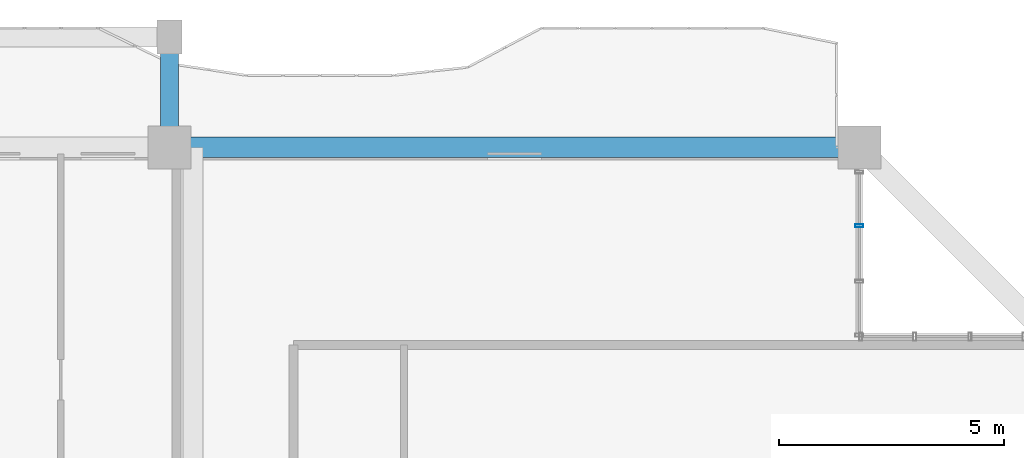
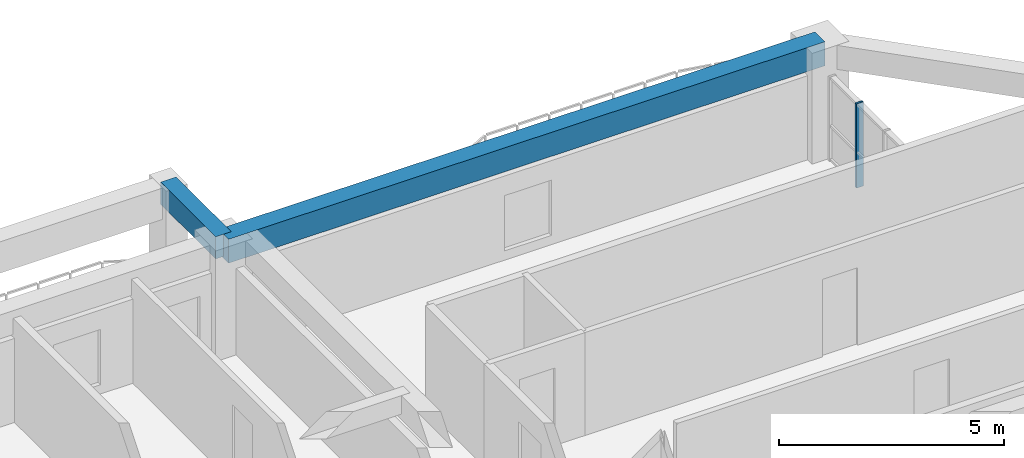
# One storey, part 11 of 25: 2 beams, 1 member, 1 element without a shape of its own.
"""IFC4 building model written with IfcOpenShell, lengths in metres."""

import ifcopenshell
import ifcopenshell.guid

model = None  # the IFC model being written
_history = None  # IfcOwnerHistory: only IFC2X3 demands one
_inside = {}  # id of a spatial element -> (the spatial element, [elements in it])
_under = {}  # id of a project, library or spatial element -> (it, [spatial elements below it])
_declared = {}  # id of a project -> (the project, [libraries it declares])
_typed = {}  # id of a type object -> (the type object, [elements of that type])
_made_of = {}  # id of a material, layer set ... -> (it, [elements and type objects made of it])


def new_model(schema):
    """Start an empty IFC model of exactly this schema.

    Asked for "IFC4X3", IfcOpenShell would pick the latest addendum, in which some entities
    have other attributes; the version numbers below select the first issue.
    IFC2X3 requires an IfcOwnerHistory on every rooted entity: one is made here for all.
    """
    global model, _history
    if schema == "IFC4X3":
        model = ifcopenshell.file(schema_version=(4, 3, 0, 0))
    else:
        model = ifcopenshell.file(schema=schema)
    _inside.clear()
    _under.clear()
    _declared.clear()
    _typed.clear()
    _made_of.clear()
    _history = None
    if model.schema == "IFC2X3":
        org = make("IfcOrganization", Name="unknown")
        user = make(
            "IfcPersonAndOrganization",
            ThePerson=make("IfcPerson", FamilyName="unknown"),
            TheOrganization=org,
        )
        app = make(
            "IfcApplication",
            ApplicationDeveloper=org,
            Version="unknown",
            ApplicationFullName="unknown",
            ApplicationIdentifier="unknown",
        )
        _history = make(
            "IfcOwnerHistory",
            OwningUser=user,
            OwningApplication=app,
            ChangeAction="ADDED",
            CreationDate=0,
        )
    return model


def make(cls, **values):
    """One entity of the class cls with the attributes given. An attribute that is None is left unset."""
    return model.create_entity(
        cls, **{name: value for name, value in values.items() if value is not None}
    )


def rooted(cls, **values):
    """An entity with a GlobalId (a new one), such as an element, a storey or a relation."""
    return make(cls, GlobalId=ifcopenshell.guid.new(), OwnerHistory=_history, **values)


def si_unit(unit_type, name, prefix=None):
    """IfcSIUnit, for example si_unit("LENGTHUNIT", "METRE", prefix="MILLI")."""
    return make("IfcSIUnit", UnitType=unit_type, Prefix=prefix, Name=name)


def assignment(units):
    """IfcUnitAssignment: the units of a project."""
    return None if units is None else make("IfcUnitAssignment", Units=units)


def point(xyz):
    """IfcCartesianPoint."""
    return None if xyz is None else make("IfcCartesianPoint", Coordinates=xyz)


def direction(xyz):
    """IfcDirection."""
    return None if xyz is None else make("IfcDirection", DirectionRatios=xyz)


def frame(location, z_axis=None, x_axis=None):
    """IfcAxis2Placement3D, a coordinate frame: its origin and axes. An axis left out is left unset."""
    return make(
        "IfcAxis2Placement3D",
        Location=point(location),
        Axis=direction(z_axis),
        RefDirection=direction(x_axis),
    )


def frame_2d(location, x_axis=None):
    """IfcAxis2Placement2D, a coordinate frame in the plane: its origin and x axis."""
    return make(
        "IfcAxis2Placement2D", Location=point(location), RefDirection=direction(x_axis)
    )


def origin():
    """The frame at (0, 0, 0) with its axes left unset."""
    return frame((0.0, 0.0, 0.0))


def origin_2d():
    """The frame at (0, 0) in the plane with its x axis left unset."""
    return frame_2d((0.0, 0.0))


def place(relative_to, where):
    """IfcLocalPlacement: puts the frame where relative to a parent placement (None: the world)."""
    return make(
        "IfcLocalPlacement", PlacementRelTo=relative_to, RelativePlacement=where
    )


def context(
    kind, dimensions, precision=None, world=None, true_north=None, identifier=None
):
    """IfcGeometricRepresentationContext, for example the 3D "Model" context."""
    return make(
        "IfcGeometricRepresentationContext",
        ContextIdentifier=identifier,
        ContextType=kind,
        CoordinateSpaceDimension=dimensions,
        Precision=precision,
        WorldCoordinateSystem=world,
        TrueNorth=true_north,
    )


def subcontext(parent, identifier, kind, view, scale=None):
    """IfcGeometricRepresentationSubContext, for example "Body" below "Model"."""
    return make(
        "IfcGeometricRepresentationSubContext",
        ContextIdentifier=identifier,
        ContextType=kind,
        ParentContext=parent,
        TargetScale=scale,
        TargetView=view,
    )


def project(units=None, contexts=None):
    """IfcProject with its units and contexts."""
    return rooted(
        "IfcProject",
        Name="project",
        RepresentationContexts=contexts,
        UnitsInContext=assignment(units),
    )


def spatial(cls, under=None, at=None, **own):
    """A site, building, storey or space (cls), placed at a placement, below another one or the project."""
    s = rooted(cls, ObjectPlacement=at, **own)
    if under is not None:
        _under.setdefault(under.id(), (under, []))[1].append(s)
    return s


def profile(cls, at=None, kind="AREA", **sizes):
    """A parametric profile (cls). Its sizes go by their IFC names, for example OverallWidth=200.0."""
    return make(cls, ProfileType=kind, Position=at, **sizes)


def rectangle(**sizes):
    """IfcRectangleProfileDef."""
    return profile("IfcRectangleProfileDef", **sizes)


def hollow_rectangle(**sizes):
    """IfcRectangleHollowProfileDef."""
    return profile("IfcRectangleHollowProfileDef", **sizes)


def extrude(swept, where, along, depth):
    """IfcExtrudedAreaSolid: the profile swept, set in the frame where, extruded along a direction by depth."""
    return make(
        "IfcExtrudedAreaSolid",
        SweptArea=swept,
        Position=where,
        ExtrudedDirection=direction(along),
        Depth=depth,
    )


def shape(context_of_items, identifier, shape_type, items):
    """IfcShapeRepresentation: the items that make up one representation, for example the "Body"."""
    return make(
        "IfcShapeRepresentation",
        ContextOfItems=context_of_items,
        RepresentationIdentifier=identifier,
        RepresentationType=shape_type,
        Items=items,
    )


def source(mapping_origin, context_of_items, identifier, shape_type, items):
    """IfcRepresentationMap: a shape defined once, which mapped items show again and again."""
    return make(
        "IfcRepresentationMap",
        MappingOrigin=mapping_origin,
        MappedRepresentation=shape(context_of_items, identifier, shape_type, items),
    )


def transform(
    local_origin,
    x_axis=None,
    y_axis=None,
    z_axis=None,
    scale=None,
    scale2=None,
    scale3=None,
    uniform=True,
):
    """IfcCartesianTransformationOperator3D, or its non-uniform kind. x_axis, y_axis, z_axis: its Axis1, 2, 3."""
    if uniform:
        return make(
            "IfcCartesianTransformationOperator3D",
            Axis1=direction(x_axis),
            Axis2=direction(y_axis),
            LocalOrigin=point(local_origin),
            Scale=scale,
            Axis3=direction(z_axis),
        )
    return make(
        "IfcCartesianTransformationOperator3DnonUniform",
        Axis1=direction(x_axis),
        Axis2=direction(y_axis),
        LocalOrigin=point(local_origin),
        Scale=scale,
        Axis3=direction(z_axis),
        Scale2=scale2,
        Scale3=scale3,
    )


def mapped(mapping_source, mapping_target):
    """IfcMappedItem: shows the shape of a source again, moved by a transform."""
    return make(
        "IfcMappedItem", MappingSource=mapping_source, MappingTarget=mapping_target
    )


def material(Name=None, Category=None):
    """IfcMaterial."""
    return make("IfcMaterial", Name=Name, Category=Category)


def layer(
    of_material, thickness, ventilated=None, Name=None, Category=None, Priority=None
):
    """IfcMaterialLayer: one layer of a wall or slab, of a material (None: an air gap)."""
    return make(
        "IfcMaterialLayer",
        Material=of_material,
        LayerThickness=thickness,
        IsVentilated=ventilated,
        Name=Name,
        Category=Category,
        Priority=Priority,
    )


def layer_set(layers, Name=None):
    """IfcMaterialLayerSet."""
    return make("IfcMaterialLayerSet", MaterialLayers=layers, LayerSetName=Name)


def material_profile(
    of_material, cross_section, Name=None, Category=None, Priority=None
):
    """IfcMaterialProfile: a cross section and its material."""
    return make(
        "IfcMaterialProfile",
        Name=Name,
        Material=of_material,
        Profile=cross_section,
        Priority=Priority,
        Category=Category,
    )


def profile_set(profiles, Name=None, composite=None):
    """IfcMaterialProfileSet."""
    return make(
        "IfcMaterialProfileSet",
        Name=Name,
        MaterialProfiles=profiles,
        CompositeProfile=composite,
    )


def made_of(thing, what):
    """Note that an element or type object is made of a material, layer set ...; save() writes the relation."""
    if what is not None:
        _made_of.setdefault(what.id(), (what, []))[1].append(thing)
    return thing


def type_object(cls, material=None, **own):
    """A type object (cls), such as IfcWallType, which elements share."""
    return made_of(rooted(cls, **own), material)


def element(
    cls,
    number,
    at=None,
    inside=None,
    cuts=None,
    type_object=None,
    material=None,
    context=None,
    identifier="Body",
    shape_type=None,
    held_by="IfcProductDefinitionShape",
    body=None,
    shapes=None,
    **own,
):
    """One element of the class cls, such as IfcWall. Its Tag is "e" and its number.

    at: its placement. inside: the storey or other place that contains it. cuts: it is an
    opening in that element (IfcRelVoidsElement). A single representation is given by context,
    identifier, shape_type and body (its items); several are given by shapes. held_by: the class
    of the entity that holds the representations. save() writes the other relations.
    """
    e = rooted(cls, Tag="e%d" % number, ObjectPlacement=at, **own)
    if body is not None:
        shapes = [shape(context, identifier, shape_type, body)]
    if shapes is not None:
        e.Representation = make(held_by, Representations=shapes)
    if inside is not None:
        _inside.setdefault(inside.id(), (inside, []))[1].append(e)
    if cuts is not None:
        rooted(
            "IfcRelVoidsElement", RelatingBuildingElement=cuts, RelatedOpeningElement=e
        )
    if type_object is not None:
        _typed.setdefault(type_object.id(), (type_object, []))[1].append(e)
    return made_of(e, material)


def aggregate(whole, parts):
    """IfcRelAggregates: a whole, such as a stair, and the parts it consists of."""
    return rooted("IfcRelAggregates", RelatingObject=whole, RelatedObjects=parts)


def save(model, path):
    """Write the relations noted so far, then the file.

    IfcRelAggregates (storeys below a building ...), IfcRelContainedInSpatialStructure (elements
    in a storey), IfcRelDefinesByType, IfcRelAssociatesMaterial and IfcRelDeclares: one each for
    every whole, place, type object, material and project.
    """
    for whole, parts in _under.values():
        aggregate(whole, parts)
    for where, things in _inside.values():
        rooted(
            "IfcRelContainedInSpatialStructure",
            RelatedElements=things,
            RelatingStructure=where,
        )
    for kind, things in _typed.values():
        rooted("IfcRelDefinesByType", RelatedObjects=things, RelatingType=kind)
    for what, things in _made_of.values():
        rooted("IfcRelAssociatesMaterial", RelatedObjects=things, RelatingMaterial=what)
    for by, libraries in _declared.values():
        rooted("IfcRelDeclares", RelatingContext=by, RelatedDefinitions=libraries)
    model.write(path)


model = new_model("IFC4")

# Units and contexts
model_context = context("Model", 3, precision=1e-05, world=origin(), true_north=direction((0.0, 1.0)))
body_context = subcontext(model_context, "Body", "Model", "MODEL_VIEW")
ifc_project = project(units=[si_unit("LENGTHUNIT", "METRE"), si_unit("AREAUNIT", "SQUARE_METRE"), si_unit("VOLUMEUNIT", "CUBIC_METRE"), si_unit("PLANEANGLEUNIT", "RADIAN"), si_unit("MASSUNIT", "GRAM", prefix="KILO")], contexts=[model_context])

# Site, building, storey
site_placement = place(None, origin())
site = spatial("IfcSite", under=ifc_project, at=site_placement, CompositionType="ELEMENT")
building_placement = place(site_placement, origin())
building = spatial("IfcBuilding", under=site, at=building_placement, Name="Saelheon Loggia Tower", CompositionType="ELEMENT")
storey_placement = place(building_placement, frame((0.0, 0.0, 107.85009765625)))
storey = spatial("IfcBuildingStorey", under=building, at=storey_placement, Name="L34", CompositionType="ELEMENT", Elevation=107.85009765625)

# Beams
ifc_material_1 = material(Name="Precast Concrete C45/55", Category="concrete")
ifc_material_profile_1 = material_profile(ifc_material_1, rectangle(XDim=0.39990234375, YDim=0.60009765625, at=origin_2d()), Name="RC-400x600")
ifc_profile_set_1 = profile_set([ifc_material_profile_1], Name="Precast Concrete C45/55")
beam_type_1 = type_object("IfcBeamType", Name="Beam_LoggiaTie_RC400x600", PredefinedType="BEAM", material=ifc_profile_set_1)
shared_shape_1 = source(origin(), body_context, "Body", "SweptSolid", [
    extrude(rectangle(XDim=0.39990234375, YDim=0.60009765625, at=origin_2d()), origin(), (0.0, 0.0, 1.0), 2.449951171875),
])
beam_1_placement = place(storey_placement, frame((44.5, 51.0, 2.699951171875), z_axis=(0.0, 1.0, 0.0), x_axis=(-1.0, 0.0, 0.0)))
element("IfcBeam", 1, at=beam_1_placement, inside=storey, type_object=beam_type_1, Name="L34 Loggia Frame Tie Beam LP-N2", PredefinedType="BEAM", context=body_context, shape_type="MappedRepresentation", body=[
    mapped(shared_shape_1, transform((0.0, 0.0, 0.0), scale=1.0)),
])
ifc_material_2 = material(Name="Concrete C40/50", Category="concrete")
ifc_material_profile_2 = material_profile(ifc_material_2, rectangle(XDim=0.449951171875, YDim=0.64990234375, at=origin_2d()), Name="RC-450x650")
ifc_profile_set_2 = profile_set([ifc_material_profile_2], Name="Concrete C40/50")
beam_type_2 = type_object("IfcBeamType", Name="Beam_PerimTower_RC450x650", PredefinedType="BEAM", material=ifc_profile_set_2)
shared_shape_2 = source(origin(), body_context, "Body", "SweptSolid", [
    extrude(rectangle(XDim=0.449951171875, YDim=0.64990234375, at=origin_2d()), origin(), (0.0, 0.0, 1.0), 15.300048828125),
])
beam_2_placement = place(storey_placement, frame((59.800048828125, 51.0, 2.6748046875), z_axis=(-1.0, 0.0, 0.0), x_axis=(0.0, -1.0, 0.0)))
element("IfcBeam", 2, at=beam_2_placement, inside=storey, type_object=beam_type_2, Name="L34 Perimeter Frame Girder 09", PredefinedType="BEAM", context=body_context, shape_type="MappedRepresentation", body=[
    mapped(shared_shape_2, transform((0.0, 0.0, 0.0), scale=1.0)),
])

# Curtain wall, member
ifc_material_3 = material(Name="Thermal-Break Aluminium and Triple Low-E Glass", Category="aluminium")
ifc_layer = layer(ifc_material_3, 0.159912109375)
ifc_layer_set = layer_set([ifc_layer], Name="Thermal-Break Aluminium and Triple Low-E Glass")
curtain_wall_type = type_object("IfcCurtainWallType", Name="CW_TowerLoggiaLow", PredefinedType="NOTDEFINED", material=ifc_layer_set)
curtain_wall_placement = place(storey_placement, origin())
curtain_wall = element("IfcCurtainWall", 3, at=curtain_wall_placement, inside=storey, type_object=curtain_wall_type, Name="L34 Corner Notch Glazing NE1", PredefinedType="NOTDEFINED")
ifc_material_4 = material(Name="Anodised Aluminium 6063-T6", Category="aluminium")
ifc_material_profile_3 = material_profile(ifc_material_4, hollow_rectangle(XDim=0.06494140625, YDim=0.179931640625, WallThickness=0.00390625, at=origin_2d()), Name="RHS-180x65x4")
ifc_profile_set_3 = profile_set([ifc_material_profile_3], Name="Anodised Aluminium 6063-T6")
member_type = type_object("IfcMemberType", Name="CW_TowerLoggiaLow_Mullion", PredefinedType="MULLION", material=ifc_profile_set_3)
shared_shape_3 = source(origin(), body_context, "Body", "SweptSolid", [
    extrude(hollow_rectangle(XDim=0.06494140625, YDim=0.179931640625, WallThickness=0.00390625, at=origin_2d()), origin(), (0.0, 0.0, 1.0), 2.27978515625),
])
member_placement = place(storey_placement, frame((59.800048828125, 49.256591796875, 0.0), z_axis=(0.0, 0.0, 1.0), x_axis=(0.0, 1.0, 0.0)))
member = element("IfcMember", 4, at=member_placement, type_object=member_type, Name="CW3 mullion 3", PredefinedType="MULLION", context=body_context, shape_type="MappedRepresentation", body=[
    mapped(shared_shape_3, transform((0.0, 0.0, 0.0), scale=1.0)),
])
aggregate(curtain_wall, [member])

save(model, "model.ifc")
